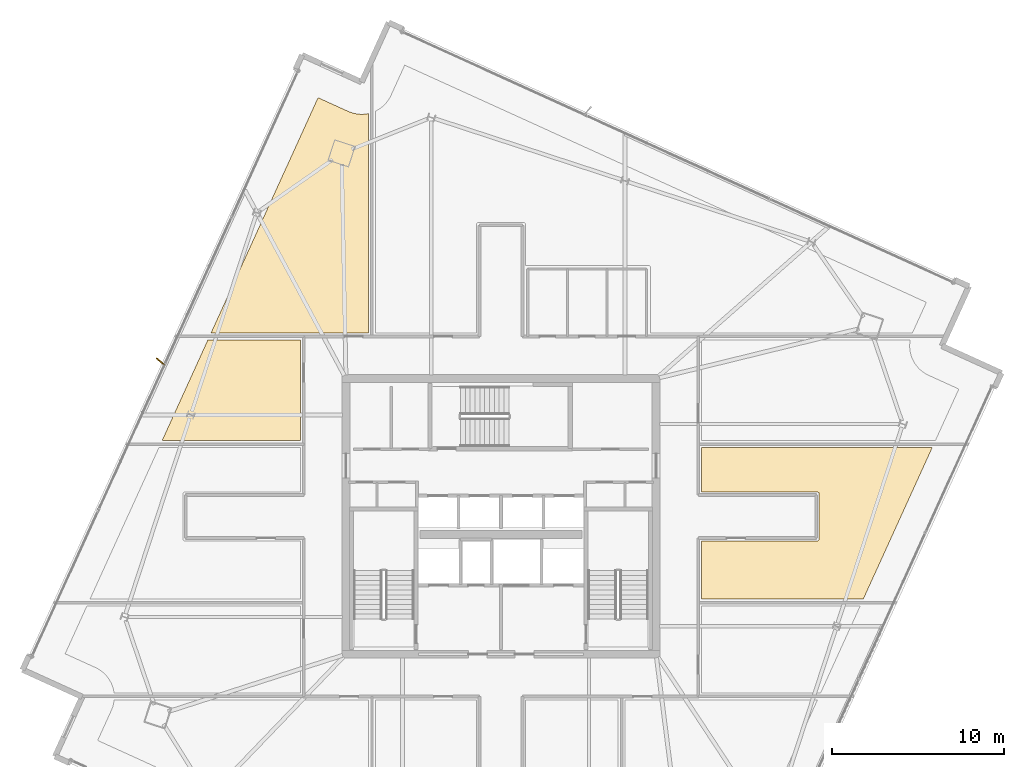
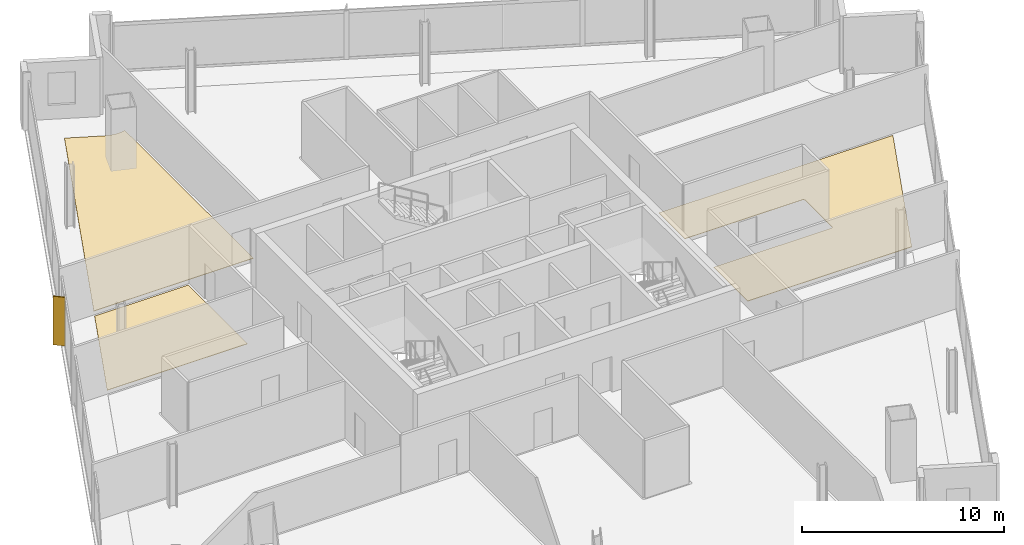
# One storey, part 24 of 26: 3 coverings, 1 shading device.
"""IFC4 building model written with IfcOpenShell, lengths in metres."""

import ifcopenshell
import ifcopenshell.guid

model = None  # the IFC model being written
_history = None  # IfcOwnerHistory: only IFC2X3 demands one
_inside = {}  # id of a spatial element -> (the spatial element, [elements in it])
_under = {}  # id of a project, library or spatial element -> (it, [spatial elements below it])
_declared = {}  # id of a project -> (the project, [libraries it declares])
_typed = {}  # id of a type object -> (the type object, [elements of that type])
_made_of = {}  # id of a material, layer set ... -> (it, [elements and type objects made of it])


def new_model(schema):
    """Start an empty IFC model of exactly this schema.

    Asked for "IFC4X3", IfcOpenShell would pick the latest addendum, in which some entities
    have other attributes; the version numbers below select the first issue.
    IFC2X3 requires an IfcOwnerHistory on every rooted entity: one is made here for all.
    """
    global model, _history
    if schema == "IFC4X3":
        model = ifcopenshell.file(schema_version=(4, 3, 0, 0))
    else:
        model = ifcopenshell.file(schema=schema)
    _inside.clear()
    _under.clear()
    _declared.clear()
    _typed.clear()
    _made_of.clear()
    _history = None
    if model.schema == "IFC2X3":
        org = make("IfcOrganization", Name="unknown")
        user = make(
            "IfcPersonAndOrganization",
            ThePerson=make("IfcPerson", FamilyName="unknown"),
            TheOrganization=org,
        )
        app = make(
            "IfcApplication",
            ApplicationDeveloper=org,
            Version="unknown",
            ApplicationFullName="unknown",
            ApplicationIdentifier="unknown",
        )
        _history = make(
            "IfcOwnerHistory",
            OwningUser=user,
            OwningApplication=app,
            ChangeAction="ADDED",
            CreationDate=0,
        )
    return model


def make(cls, **values):
    """One entity of the class cls with the attributes given. An attribute that is None is left unset."""
    return model.create_entity(
        cls, **{name: value for name, value in values.items() if value is not None}
    )


def rooted(cls, **values):
    """An entity with a GlobalId (a new one), such as an element, a storey or a relation."""
    return make(cls, GlobalId=ifcopenshell.guid.new(), OwnerHistory=_history, **values)


def si_unit(unit_type, name, prefix=None):
    """IfcSIUnit, for example si_unit("LENGTHUNIT", "METRE", prefix="MILLI")."""
    return make("IfcSIUnit", UnitType=unit_type, Prefix=prefix, Name=name)


def assignment(units):
    """IfcUnitAssignment: the units of a project."""
    return None if units is None else make("IfcUnitAssignment", Units=units)


def point(xyz):
    """IfcCartesianPoint."""
    return None if xyz is None else make("IfcCartesianPoint", Coordinates=xyz)


def direction(xyz):
    """IfcDirection."""
    return None if xyz is None else make("IfcDirection", DirectionRatios=xyz)


def frame(location, z_axis=None, x_axis=None):
    """IfcAxis2Placement3D, a coordinate frame: its origin and axes. An axis left out is left unset."""
    return make(
        "IfcAxis2Placement3D",
        Location=point(location),
        Axis=direction(z_axis),
        RefDirection=direction(x_axis),
    )


def frame_2d(location, x_axis=None):
    """IfcAxis2Placement2D, a coordinate frame in the plane: its origin and x axis."""
    return make(
        "IfcAxis2Placement2D", Location=point(location), RefDirection=direction(x_axis)
    )


def origin():
    """The frame at (0, 0, 0) with its axes left unset."""
    return frame((0.0, 0.0, 0.0))


def origin_2d():
    """The frame at (0, 0) in the plane with its x axis left unset."""
    return frame_2d((0.0, 0.0))


def place(relative_to, where):
    """IfcLocalPlacement: puts the frame where relative to a parent placement (None: the world)."""
    return make(
        "IfcLocalPlacement", PlacementRelTo=relative_to, RelativePlacement=where
    )


def context(
    kind, dimensions, precision=None, world=None, true_north=None, identifier=None
):
    """IfcGeometricRepresentationContext, for example the 3D "Model" context."""
    return make(
        "IfcGeometricRepresentationContext",
        ContextIdentifier=identifier,
        ContextType=kind,
        CoordinateSpaceDimension=dimensions,
        Precision=precision,
        WorldCoordinateSystem=world,
        TrueNorth=true_north,
    )


def subcontext(parent, identifier, kind, view, scale=None):
    """IfcGeometricRepresentationSubContext, for example "Body" below "Model"."""
    return make(
        "IfcGeometricRepresentationSubContext",
        ContextIdentifier=identifier,
        ContextType=kind,
        ParentContext=parent,
        TargetScale=scale,
        TargetView=view,
    )


def project(units=None, contexts=None):
    """IfcProject with its units and contexts."""
    return rooted(
        "IfcProject",
        Name="project",
        RepresentationContexts=contexts,
        UnitsInContext=assignment(units),
    )


def spatial(cls, under=None, at=None, **own):
    """A site, building, storey or space (cls), placed at a placement, below another one or the project."""
    s = rooted(cls, ObjectPlacement=at, **own)
    if under is not None:
        _under.setdefault(under.id(), (under, []))[1].append(s)
    return s


def polyline(points):
    """IfcPolyline through the points."""
    return make("IfcPolyline", Points=[point(p) for p in points])


def profile(cls, at=None, kind="AREA", **sizes):
    """A parametric profile (cls). Its sizes go by their IFC names, for example OverallWidth=200.0."""
    return make(cls, ProfileType=kind, Position=at, **sizes)


def rectangle(**sizes):
    """IfcRectangleProfileDef."""
    return profile("IfcRectangleProfileDef", **sizes)


def outline(outer, holes=None, kind="AREA"):
    """IfcArbitraryClosedProfileDef: a profile drawn as a closed curve; with holes, ...WithVoids."""
    if holes is None:
        return make("IfcArbitraryClosedProfileDef", ProfileType=kind, OuterCurve=outer)
    return make(
        "IfcArbitraryProfileDefWithVoids",
        ProfileType=kind,
        OuterCurve=outer,
        InnerCurves=holes,
    )


def extrude(swept, where, along, depth):
    """IfcExtrudedAreaSolid: the profile swept, set in the frame where, extruded along a direction by depth."""
    return make(
        "IfcExtrudedAreaSolid",
        SweptArea=swept,
        Position=where,
        ExtrudedDirection=direction(along),
        Depth=depth,
    )


def shape(context_of_items, identifier, shape_type, items):
    """IfcShapeRepresentation: the items that make up one representation, for example the "Body"."""
    return make(
        "IfcShapeRepresentation",
        ContextOfItems=context_of_items,
        RepresentationIdentifier=identifier,
        RepresentationType=shape_type,
        Items=items,
    )


def source(mapping_origin, context_of_items, identifier, shape_type, items):
    """IfcRepresentationMap: a shape defined once, which mapped items show again and again."""
    return make(
        "IfcRepresentationMap",
        MappingOrigin=mapping_origin,
        MappedRepresentation=shape(context_of_items, identifier, shape_type, items),
    )


def transform(
    local_origin,
    x_axis=None,
    y_axis=None,
    z_axis=None,
    scale=None,
    scale2=None,
    scale3=None,
    uniform=True,
):
    """IfcCartesianTransformationOperator3D, or its non-uniform kind. x_axis, y_axis, z_axis: its Axis1, 2, 3."""
    if uniform:
        return make(
            "IfcCartesianTransformationOperator3D",
            Axis1=direction(x_axis),
            Axis2=direction(y_axis),
            LocalOrigin=point(local_origin),
            Scale=scale,
            Axis3=direction(z_axis),
        )
    return make(
        "IfcCartesianTransformationOperator3DnonUniform",
        Axis1=direction(x_axis),
        Axis2=direction(y_axis),
        LocalOrigin=point(local_origin),
        Scale=scale,
        Axis3=direction(z_axis),
        Scale2=scale2,
        Scale3=scale3,
    )


def mapped(mapping_source, mapping_target):
    """IfcMappedItem: shows the shape of a source again, moved by a transform."""
    return make(
        "IfcMappedItem", MappingSource=mapping_source, MappingTarget=mapping_target
    )


def material(Name=None, Category=None):
    """IfcMaterial."""
    return make("IfcMaterial", Name=Name, Category=Category)


def layer(
    of_material, thickness, ventilated=None, Name=None, Category=None, Priority=None
):
    """IfcMaterialLayer: one layer of a wall or slab, of a material (None: an air gap)."""
    return make(
        "IfcMaterialLayer",
        Material=of_material,
        LayerThickness=thickness,
        IsVentilated=ventilated,
        Name=Name,
        Category=Category,
        Priority=Priority,
    )


def layer_set(layers, Name=None):
    """IfcMaterialLayerSet."""
    return make("IfcMaterialLayerSet", MaterialLayers=layers, LayerSetName=Name)


def made_of(thing, what):
    """Note that an element or type object is made of a material, layer set ...; save() writes the relation."""
    if what is not None:
        _made_of.setdefault(what.id(), (what, []))[1].append(thing)
    return thing


def type_object(cls, material=None, **own):
    """A type object (cls), such as IfcWallType, which elements share."""
    return made_of(rooted(cls, **own), material)


def element(
    cls,
    number,
    at=None,
    inside=None,
    cuts=None,
    type_object=None,
    material=None,
    context=None,
    identifier="Body",
    shape_type=None,
    held_by="IfcProductDefinitionShape",
    body=None,
    shapes=None,
    **own,
):
    """One element of the class cls, such as IfcWall. Its Tag is "e" and its number.

    at: its placement. inside: the storey or other place that contains it. cuts: it is an
    opening in that element (IfcRelVoidsElement). A single representation is given by context,
    identifier, shape_type and body (its items); several are given by shapes. held_by: the class
    of the entity that holds the representations. save() writes the other relations.
    """
    e = rooted(cls, Tag="e%d" % number, ObjectPlacement=at, **own)
    if body is not None:
        shapes = [shape(context, identifier, shape_type, body)]
    if shapes is not None:
        e.Representation = make(held_by, Representations=shapes)
    if inside is not None:
        _inside.setdefault(inside.id(), (inside, []))[1].append(e)
    if cuts is not None:
        rooted(
            "IfcRelVoidsElement", RelatingBuildingElement=cuts, RelatedOpeningElement=e
        )
    if type_object is not None:
        _typed.setdefault(type_object.id(), (type_object, []))[1].append(e)
    return made_of(e, material)


def aggregate(whole, parts):
    """IfcRelAggregates: a whole, such as a stair, and the parts it consists of."""
    return rooted("IfcRelAggregates", RelatingObject=whole, RelatedObjects=parts)


def save(model, path):
    """Write the relations noted so far, then the file.

    IfcRelAggregates (storeys below a building ...), IfcRelContainedInSpatialStructure (elements
    in a storey), IfcRelDefinesByType, IfcRelAssociatesMaterial and IfcRelDeclares: one each for
    every whole, place, type object, material and project.
    """
    for whole, parts in _under.values():
        aggregate(whole, parts)
    for where, things in _inside.values():
        rooted(
            "IfcRelContainedInSpatialStructure",
            RelatedElements=things,
            RelatingStructure=where,
        )
    for kind, things in _typed.values():
        rooted("IfcRelDefinesByType", RelatedObjects=things, RelatingType=kind)
    for what, things in _made_of.values():
        rooted("IfcRelAssociatesMaterial", RelatedObjects=things, RelatingMaterial=what)
    for by, libraries in _declared.values():
        rooted("IfcRelDeclares", RelatingContext=by, RelatedDefinitions=libraries)
    model.write(path)


model = new_model("IFC4")

# Units and contexts
model_context = context("Model", 3, precision=1e-05, world=origin(), true_north=direction((0.0, 1.0)))
body_context = subcontext(model_context, "Body", "Model", "MODEL_VIEW")
ifc_project = project(units=[si_unit("LENGTHUNIT", "METRE"), si_unit("AREAUNIT", "SQUARE_METRE"), si_unit("VOLUMEUNIT", "CUBIC_METRE"), si_unit("PLANEANGLEUNIT", "RADIAN"), si_unit("MASSUNIT", "GRAM", prefix="KILO")], contexts=[model_context])

# Site, building, storey
site_placement = place(None, origin())
site = spatial("IfcSite", under=ifc_project, at=site_placement, CompositionType="ELEMENT")
building_placement = place(site_placement, origin())
building = spatial("IfcBuilding", under=site, at=building_placement, Name="Haldenkirk Collegiate Tower", CompositionType="ELEMENT")
storey_placement = place(building_placement, frame((0.0, 0.0, 248.699951171875)))
storey = spatial("IfcBuildingStorey", under=building, at=storey_placement, Name="L62", CompositionType="ELEMENT", Elevation=248.699951171875)

# Coverings
ifc_material_1 = material(Name="Polished collegiate terrazzo", Category="concrete")
ifc_layer_1 = layer(ifc_material_1, 0.02490234375)
ifc_layer_set_1 = layer_set([ifc_layer_1], Name="Polished collegiate terrazzo")
covering_type = type_object("IfcCoveringType", Name="COV-FLOOR-TERRAZZO", PredefinedType="FLOORING", material=ifc_layer_set_1)
covering_1_placement = place(storey_placement, origin())
element("IfcCovering", 1, at=covering_1_placement, inside=storey, type_object=covering_type, Name="L62 academic room finish 04", PredefinedType="FLOORING", context=body_context, shape_type="SweptSolid", body=[
    extrude(outline(polyline([(27.134765625, 49.50732421875), (27.14013671875, 49.505126953125), (27.2998046875, 49.44189453125), (27.310791015625, 49.43798828125), (27.47607421875, 49.390625), (27.487548828125, 49.387939453125), (27.656494140625, 49.35693359375), (27.66796875, 49.35546875), (27.839111328125, 49.341064453125), (27.85107421875, 49.3408203125), (28.022705078125, 49.34326171875), (28.034423828125, 49.343994140625), (28.205078125, 49.363525390625), (28.216796875, 49.365478515625), (28.300048828125, 49.38330078125), (28.300048828125, 36.64990234375), (19.168701171875, 36.64990234375), (25.377685546875, 50.30615234375), (27.134765625, 49.50732421875)])), origin(), (0.0, 0.0, 1.0), 0.025146484375),
])
covering_2_placement = place(storey_placement, origin())
element("IfcCovering", 2, at=covering_2_placement, inside=storey, type_object=covering_type, Name="L62 academic room finish 08", PredefinedType="FLOORING", context=body_context, shape_type="SweptSolid", body=[
    extrude(outline(polyline([(18.98681640625, 36.25), (24.35009765625, 36.25), (24.35009765625, 30.39990234375), (16.326904296875, 30.39990234375), (18.98681640625, 36.25)])), origin(), (0.0, 0.0, 1.0), 0.025146484375),
])
covering_3_placement = place(storey_placement, origin())
element("IfcCovering", 3, at=covering_3_placement, inside=storey, type_object=covering_type, Name="L62 academic room finish 10", PredefinedType="FLOORING", context=body_context, shape_type="SweptSolid", body=[
    extrude(outline(polyline([(57.029052734375, 21.199951171875), (47.64990234375, 21.199951171875), (47.64990234375, 24.580078125), (54.35009765625, 24.580078125), (54.36181640625, 24.58056640625), (54.373291015625, 24.582275390625), (54.384765625, 24.585205078125), (54.39599609375, 24.589111328125), (54.406494140625, 24.59423828125), (54.416748046875, 24.60009765625), (54.426025390625, 24.607177734375), (54.434814453125, 24.614990234375), (54.44287109375, 24.623779296875), (54.44970703125, 24.63330078125), (54.455810546875, 24.643310546875), (54.4609375, 24.654052734375), (54.46484375, 24.665283203125), (54.4677734375, 24.676513671875), (54.469482421875, 24.688232421875), (54.469970703125, 24.699951171875), (54.469970703125, 27.300048828125), (54.469482421875, 27.311767578125), (54.4677734375, 27.323486328125), (54.46484375, 27.334716796875), (54.4609375, 27.345947265625), (54.455810546875, 27.356689453125), (54.44970703125, 27.36669921875), (54.44287109375, 27.376220703125), (54.434814453125, 27.385009765625), (54.426025390625, 27.392822265625), (54.416748046875, 27.39990234375), (54.406494140625, 27.40576171875), (54.39599609375, 27.410888671875), (54.384765625, 27.414794921875), (54.373291015625, 27.417724609375), (54.36181640625, 27.41943359375), (54.35009765625, 27.419921875), (47.64990234375, 27.419921875), (47.64990234375, 30.0), (61.0302734375, 30.0), (57.029052734375, 21.199951171875)])), origin(), (0.0, 0.0, 1.0), 0.025146484375),
])

# Shading device
ifc_material_2 = material(Name="Anodised architectural bronze aluminium", Category="aluminium")
ifc_layer_2 = layer(ifc_material_2, 0.06494140625)
ifc_layer_set_2 = layer_set([ifc_layer_2], Name="Anodised architectural bronze aluminium")
shading_device_type = type_object("IfcShadingDeviceType", Name="SHD-FIN-BRONZE-620", PredefinedType="USERDEFINED", material=ifc_layer_set_2)
shared_shape = source(origin(), body_context, "Body", "SweptSolid", [
    extrude(rectangle(XDim=0.6201171875, YDim=0.06494140625, at=origin_2d()), origin(), (0.0, 0.0, 1.0), 2.93798828125),
])
shading_device_placement = place(storey_placement, frame((16.232421875, 34.98779296875, 0.0), z_axis=(0.0, 0.0, 1.0), x_axis=(-0.760972426325, 0.648784221735, 0.0)))
element("IfcShadingDevice", 4, at=shading_device_placement, inside=storey, type_object=shading_device_type, Name="L62 folded bronze solar fin 1", ObjectType="FIN", PredefinedType="USERDEFINED", context=body_context, shape_type="MappedRepresentation", body=[
    mapped(shared_shape, transform((0.0, 0.0, 0.0), x_axis=(1.0, 0.0, 0.0), y_axis=(0.0, 1.0, 0.0), z_axis=(0.0, 0.0, 1.0), scale=1.0)),
])

save(model, "model.ifc")
